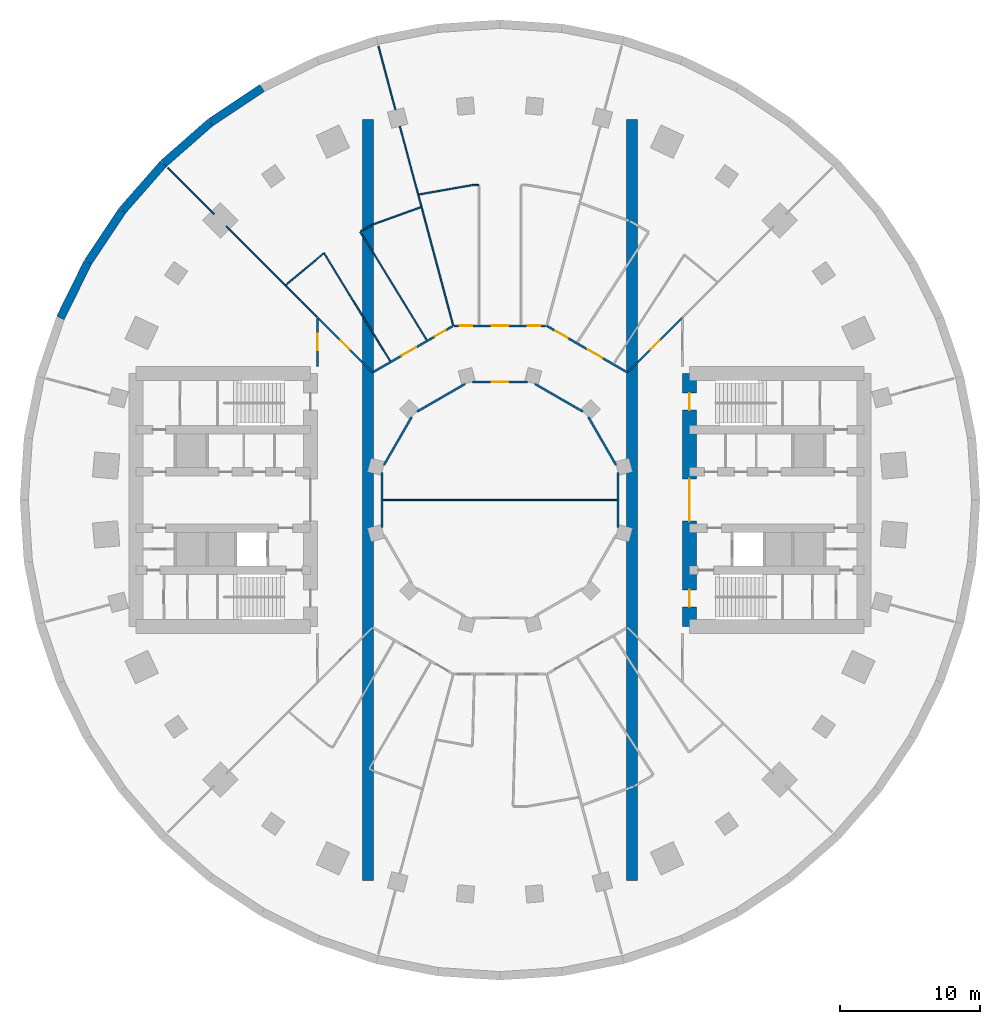
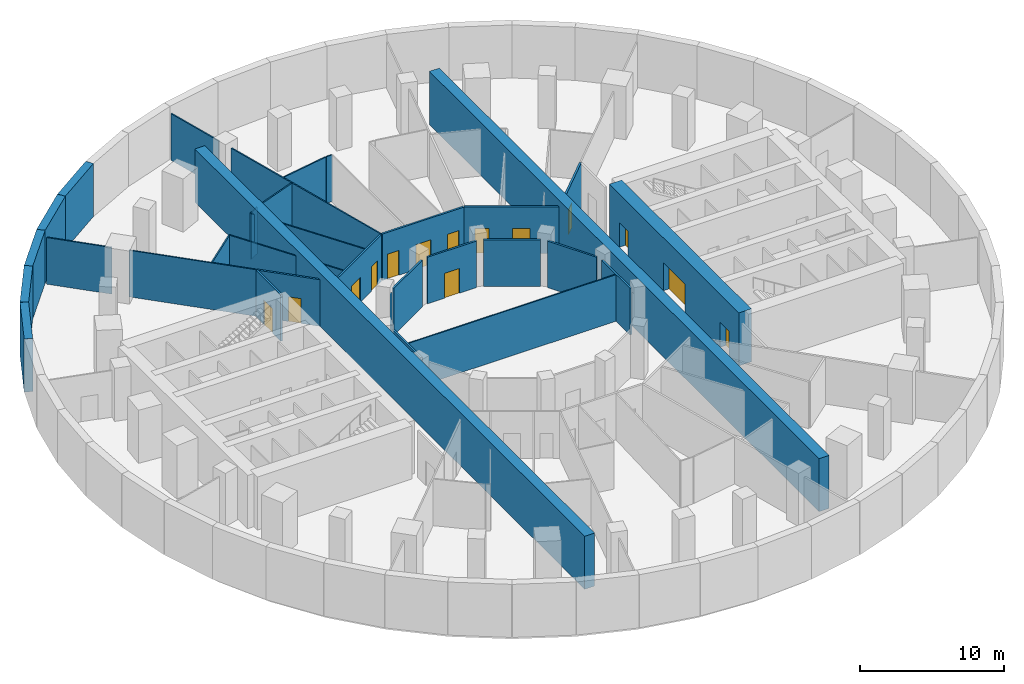
# One storey, part 5 of 8: 33 walls, 14 doors, 14 openings.
"""IFC4 building model written with IfcOpenShell, lengths in metres."""

from ifc_helpers import new_model, si_unit, direction, frame, frame_2d, origin, place, context, subcontext, project, spatial, rectangle, extrude, material, layer, layer_set, type_object, element, fill, save


model = new_model("IFC4")

# Units and contexts
model_context = context("Model", 3, precision=1e-05, world=origin(), true_north=direction((0.0, 1.0)))
body_context = subcontext(model_context, "Body", "Model", "MODEL_VIEW")
ifc_project = project(units=[si_unit("LENGTHUNIT", "METRE"), si_unit("AREAUNIT", "SQUARE_METRE"), si_unit("VOLUMEUNIT", "CUBIC_METRE"), si_unit("PLANEANGLEUNIT", "RADIAN"), si_unit("MASSUNIT", "GRAM", prefix="KILO")], contexts=[model_context])

# Site, building, storey
site_placement = place(None, origin())
site = spatial("IfcSite", under=ifc_project, at=site_placement, CompositionType="ELEMENT")
building_placement = place(site_placement, origin())
building = spatial("IfcBuilding", under=site, at=building_placement, Name="Saqina Gate Tower", CompositionType="ELEMENT")
storey_placement = place(building_placement, frame((0.0, 0.0, -4.5)))
storey = spatial("IfcBuildingStorey", under=building, at=storey_placement, Name="B1", CompositionType="ELEMENT", Elevation=-4.5)

# Walls
ifc_material_1 = material(Name="Gypsum board on steel studs, 100 mm", Category="steel")
ifc_layer_1 = layer(ifc_material_1, 0.10009765625)
ifc_layer_set_1 = layer_set([ifc_layer_1], Name="SPECIAL PARTITION 100")
wall_type_1 = type_object("IfcWallType", Name="SPECIAL PARTITION 100", PredefinedType="PARTITIONING", material=ifc_layer_set_1)
wall_1_placement = place(storey_placement, frame((-8.656494140625, 32.30810546875, 0.0), z_axis=(0.0, 0.0, 1.0), x_axis=(0.258738688501, -0.965947354193, 0.0)))
element("IfcWall", 1, at=wall_1_placement, inside=storey, type_object=wall_type_1, Name="PARTITION 001", PredefinedType="PARTITIONING", context=body_context, shape_type="SweptSolid", body=[
    extrude(rectangle(XDim=4.687744140625, YDim=0.10009765625, at=frame_2d((2.34375, 0.0))), origin(), (0.0, 0.0, 1.0), 3.949951171875),
])
wall_2_placement = place(storey_placement, frame((-7.127685546875, 26.6015625, 0.0), z_axis=(0.0, 0.0, 1.0), x_axis=(0.258778692841, -0.965936637742, 0.0)))
element("IfcWall", 2, at=wall_2_placement, inside=storey, type_object=wall_type_1, Name="PARTITION 002", PredefinedType="PARTITIONING", context=body_context, shape_type="SweptSolid", body=[
    extrude(rectangle(XDim=14.702392578125, YDim=0.10009765625, at=frame_2d((7.35107421875, 0.0))), origin(), (0.0, 0.0, 1.0), 3.949951171875),
])
wall_3_placement = place(storey_placement, frame((-12.531005859375, 17.577880859375, 0.0), z_axis=(0.0, 0.0, 1.0), x_axis=(0.522457288025, -0.852665457368, 0.0)))
element("IfcWall", 3, at=wall_3_placement, inside=storey, type_object=wall_type_1, Name="PARTITION 007", PredefinedType="PARTITIONING", context=body_context, shape_type="SweptSolid", body=[
    extrude(rectangle(XDim=9.016357421875, YDim=0.10009765625, at=frame_2d((4.50830078125, 0.0))), origin(), (0.0, 0.0, 1.0), 3.949951171875),
])
wall_4_placement = place(storey_placement, frame((-9.948974609375, 19.10498046875, 0.0), z_axis=(0.0, 0.0, 1.0), x_axis=(0.522544340664, -0.852612111127, 0.0)))
element("IfcWall", 4, at=wall_4_placement, inside=storey, type_object=wall_type_1, Name="PARTITION 008", PredefinedType="PARTITIONING", context=body_context, shape_type="SweptSolid", body=[
    extrude(rectangle(XDim=9.047607421875, YDim=0.10009765625, at=frame_2d((4.52392578125, 0.0))), origin(), (0.0, 0.0, 1.0), 3.949951171875),
])
wall_5_placement = place(storey_placement, frame((-23.65087890625, 23.65087890625, 0.0), z_axis=(0.0, 0.0, 1.0), x_axis=(0.707106781187, -0.707106781187, 0.0)))
element("IfcWall", 5, at=wall_5_placement, inside=storey, type_object=wall_type_1, Name="PARTITION 011", PredefinedType="PARTITIONING", context=body_context, shape_type="SweptSolid", body=[
    extrude(rectangle(XDim=4.687255859375, YDim=0.10009765625, at=frame_2d((2.34375, 0.0))), origin(), (0.0, 0.0, 1.0), 3.949951171875),
])
wall_6_placement = place(storey_placement, frame((-19.4736328125, 19.4736328125, 0.0), z_axis=(0.0, 0.0, 1.0), x_axis=(0.707106781187, -0.707106781187, 0.0)))
element("IfcWall", 6, at=wall_6_placement, inside=storey, type_object=wall_type_1, Name="PARTITION 012", PredefinedType="PARTITIONING", context=body_context, shape_type="SweptSolid", body=[
    extrude(rectangle(XDim=9.155029296875, YDim=0.10009765625, at=frame_2d((4.57763671875, 0.0))), origin(), (0.0, 0.0, 1.0), 3.949951171875),
])
wall_7_placement = place(storey_placement, frame((-8.324951171875, 0.0, 0.0), z_axis=(0.0, 0.0, 1.0), x_axis=(1.0, 0.0, 0.0)))
element("IfcWall", 7, at=wall_7_placement, inside=storey, type_object=wall_type_1, Name="PARTITION 034", PredefinedType="PARTITIONING", context=body_context, shape_type="SweptSolid", body=[
    extrude(rectangle(XDim=16.64990234375, YDim=0.10009765625, at=frame_2d((8.324951171875, 0.0))), origin(), (0.0, 0.0, 1.0), 3.949951171875),
])
wall_8_placement = place(storey_placement, frame((-1.9609375, 22.419921875, 0.0), z_axis=(0.0, 0.0, 1.0), x_axis=(1.0, 0.0, 0.0)))
element("IfcWall", 8, at=wall_8_placement, inside=storey, type_object=wall_type_1, Name="PARTITION 037", PredefinedType="PARTITIONING", context=body_context, shape_type="SweptSolid", body=[
    extrude(rectangle(XDim=0.4609375, YDim=0.10009765625, at=frame_2d((0.23046875, 0.0))), origin(), (0.0, 0.0, 1.0), 3.949951171875),
])
wall_9_placement = place(storey_placement, frame((-5.77587890625, 21.747802734375, 0.0), z_axis=(0.0, 0.0, 1.0), x_axis=(0.984825953453, 0.173544926186, 0.0)))
element("IfcWall", 9, at=wall_9_placement, inside=storey, type_object=wall_type_1, Name="PARTITION 040", PredefinedType="PARTITIONING", context=body_context, shape_type="SweptSolid", body=[
    extrude(rectangle(XDim=3.82373046875, YDim=0.10009765625, at=frame_2d((1.911865234375, 0.0))), origin(), (0.0, 0.0, 1.0), 3.949951171875),
])
wall_10_placement = place(storey_placement, frame((-9.12890625, 19.577880859375, 0.0), z_axis=(0.0, 0.0, 1.0), x_axis=(0.939651350788, 0.342133510435, 0.0)))
element("IfcWall", 10, at=wall_10_placement, inside=storey, type_object=wall_type_1, Name="PARTITION 044", PredefinedType="PARTITIONING", context=body_context, shape_type="SweptSolid", body=[
    extrude(rectangle(XDim=3.71484375, YDim=0.10009765625, at=frame_2d((1.857421875, 0.0))), origin(), (0.0, 0.0, 1.0), 3.949951171875),
])
wall_11_placement = place(storey_placement, frame((-9.90576171875, 19.1298828125, 0.0), z_axis=(0.0, 0.0, 1.0), x_axis=(0.866195186797, 0.499705811824, 0.0)))
element("IfcWall", 11, at=wall_11_placement, inside=storey, type_object=wall_type_1, Name="PARTITION 050", PredefinedType="PARTITIONING", context=body_context, shape_type="SweptSolid", body=[
    extrude(rectangle(XDim=0.8466796875, YDim=0.10009765625, at=frame_2d((0.42333984375, 0.0))), origin(), (0.0, 0.0, 1.0), 3.949951171875),
])
wall_12_placement = place(storey_placement, frame((-15.23681640625, 15.30712890625, 0.0), z_axis=(0.0, 0.0, 1.0), x_axis=(0.765975486746, 0.642869779742, 0.0)))
element("IfcWall", 12, at=wall_12_placement, inside=storey, type_object=wall_type_1, Name="PARTITION 052", PredefinedType="PARTITIONING", context=body_context, shape_type="SweptSolid", body=[
    extrude(rectangle(XDim=3.482421875, YDim=0.10009765625, at=frame_2d((1.7412109375, 0.0))), origin(), (0.0, 0.0, 1.0), 3.949951171875),
])
ifc_material_2 = material(Name="Gypsum board on steel studs, 150 mm, fire rated", Category="steel")
ifc_layer_2 = layer(ifc_material_2, 0.14990234375)
ifc_layer_set_2 = layer_set([ifc_layer_2], Name="SPECIAL PARTITION EI 30 150")
wall_type_2 = type_object("IfcWallType", Name="SPECIAL PARTITION EI 30 150", PredefinedType="PARTITIONING", material=ifc_layer_set_2)
wall_13_placement = place(storey_placement, frame((6.29150390625, 5.902099609375, 0.0), z_axis=(0.0, 0.0, 1.0), x_axis=(0.500061252887, -0.865990036525, 0.0)))
element("IfcWall", 13, at=wall_13_placement, inside=storey, type_object=wall_type_2, Name="PARTITION 006", PredefinedType="PARTITIONING", context=body_context, shape_type="SweptSolid", body=[
    extrude(rectangle(XDim=3.9296875, YDim=0.14990234375, at=frame_2d((1.96484375, 0.0))), origin(), (0.0, 0.0, 1.0), 3.949951171875),
])

# Wall, opening, door
wall_14_placement = place(storey_placement, frame((-12.964599609375, 12.964599609375, 0.0), z_axis=(0.0, 0.0, 1.0), x_axis=(0.707106781187, -0.707106781187, 0.0)))
wall_14 = element("IfcWall", 14, at=wall_14_placement, inside=storey, type_object=wall_type_2, Name="PARTITION 013", PredefinedType="PARTITIONING", context=body_context, shape_type="SweptSolid", body=[
    extrude(rectangle(XDim=5.498046875, YDim=0.14990234375, at=frame_2d((2.7490234375, 0.0))), origin(), (0.0, 0.0, 1.0), 3.949951171875),
])
opening_1_placement = place(wall_14_placement, frame((2.272216796875, 0.0, 0.0)))
opening_1 = element("IfcOpeningElement", 15, at=opening_1_placement, cuts=wall_14, Name="Opening B1-D12", PredefinedType="OPENING", context=body_context, shape_type="SweptSolid", body=[
    extrude(rectangle(XDim=0.89990234375, YDim=2.10009765625, at=frame_2d((0.449951171875, 1.050048828125))), frame((0.0, 0.0869140625, 0.0), z_axis=(0.0, -1.0, 0.0), x_axis=(1.0, 0.0, 0.0)), (0.0, 0.0, 1.0), 0.173828125),
])
ifc_material_3 = material(Name="Steel-framed fire door leaf, EI 30", Category="steel")
door_type_1 = type_object("IfcDoorType", Name="SPECIAL DOOR 900 FIRE EI 30", OperationType="SINGLE_SWING_LEFT", PredefinedType="DOOR", material=ifc_material_3)
door_1_placement = place(opening_1_placement, origin())
door_1 = element("IfcDoor", 16, at=door_1_placement, inside=storey, type_object=door_type_1, Name="DOOR B1-D12", OperationType="SINGLE_SWING_RIGHT", OverallHeight=2.10009765625, OverallWidth=0.89990234375, PredefinedType="DOOR", context=body_context, shape_type="SweptSolid", body=[
    extrude(rectangle(XDim=0.89990234375, YDim=2.10009765625, at=frame_2d((0.449951171875, 1.050048828125))), frame((0.0, 0.02490234375, 0.0), z_axis=(0.0, -1.0, 0.0), x_axis=(1.0, 0.0, 0.0)), (0.0, 0.0, 1.0), 0.050048828125),
])
fill(opening_1, door_1)

# Wall
wall_15_placement = place(storey_placement, frame((2.4990234375, 8.256591796875, 0.0), z_axis=(0.0, 0.0, 1.0), x_axis=(0.865990036525, -0.500061252887, 0.0)))
element("IfcWall", 17, at=wall_15_placement, inside=storey, type_object=wall_type_2, Name="PARTITION 020", PredefinedType="PARTITIONING", context=body_context, shape_type="SweptSolid", body=[
    extrude(rectangle(XDim=3.9296875, YDim=0.14990234375, at=frame_2d((1.96484375, 0.0))), origin(), (0.0, 0.0, 1.0), 3.949951171875),
])

# Wall, opening, door
wall_16_placement = place(storey_placement, frame((-1.96435546875, 8.39990234375, 0.0), z_axis=(0.0, 0.0, 1.0), x_axis=(1.0, 0.0, 0.0)))
wall_16 = element("IfcWall", 18, at=wall_16_placement, inside=storey, type_object=wall_type_2, Name="PARTITION 035", PredefinedType="PARTITIONING", context=body_context, shape_type="SweptSolid", body=[
    extrude(rectangle(XDim=3.9287109375, YDim=0.14990234375, at=frame_2d((1.96435546875, 0.0))), origin(), (0.0, 0.0, 1.0), 3.949951171875),
])
opening_2_placement = place(wall_16_placement, frame((1.364501953125, 0.0, 0.0)))
opening_2 = element("IfcOpeningElement", 19, at=opening_2_placement, cuts=wall_16, Name="Opening B1-D07", PredefinedType="OPENING", context=body_context, shape_type="SweptSolid", body=[
    extrude(rectangle(XDim=1.199951171875, YDim=2.10009765625, at=frame_2d((0.60009765625, 1.050048828125))), frame((0.0, 0.0869140625, 0.0), z_axis=(0.0, -1.0, 0.0), x_axis=(1.0, 0.0, 0.0)), (0.0, 0.0, 1.0), 0.173828125),
])
ifc_material_4 = material(Name="Steel-framed fire door leaf, EI 30", Category="steel")
door_type_2 = type_object("IfcDoorType", Name="SPECIAL DOOR 1200 FIRE EI 30", OperationType="SINGLE_SWING_LEFT", PredefinedType="DOOR", material=ifc_material_4)
door_2_placement = place(opening_2_placement, origin())
door_2 = element("IfcDoor", 20, at=door_2_placement, inside=storey, type_object=door_type_2, Name="DOOR B1-D07", OperationType="SINGLE_SWING_RIGHT", OverallHeight=2.10009765625, OverallWidth=1.199951171875, PredefinedType="DOOR", context=body_context, shape_type="SweptSolid", body=[
    extrude(rectangle(XDim=1.199951171875, YDim=2.10009765625, at=frame_2d((0.60009765625, 1.050048828125))), frame((0.0, 0.02490234375, 0.0), z_axis=(0.0, -1.0, 0.0), x_axis=(1.0, 0.0, 0.0)), (0.0, 0.0, 1.0), 0.050048828125),
])
fill(opening_2, door_2)

# Wall, openings, doors
wall_17_placement = place(storey_placement, frame((-3.27294921875, 12.39990234375, 0.0), z_axis=(0.0, 0.0, 1.0), x_axis=(1.0, 0.0, 0.0)))
wall_17 = element("IfcWall", 21, at=wall_17_placement, inside=storey, type_object=wall_type_2, Name="PARTITION 036", PredefinedType="PARTITIONING", context=body_context, shape_type="SweptSolid", body=[
    extrude(rectangle(XDim=6.52099609375, YDim=0.14990234375, at=frame_2d((3.260498046875, 0.0))), origin(), (0.0, 0.0, 1.0), 3.949951171875),
])
opening_3_placement = place(wall_17_placement, frame((5.234619140625, 0.0, 0.0)))
opening_3 = element("IfcOpeningElement", 22, at=opening_3_placement, cuts=wall_17, Name="Opening B1-D06", PredefinedType="OPENING", context=body_context, shape_type="SweptSolid", body=[
    extrude(rectangle(XDim=0.89990234375, YDim=2.10009765625, at=frame_2d((0.449951171875, 1.050048828125))), frame((0.0, 0.0869140625, 0.0), z_axis=(0.0, -1.0, 0.0), x_axis=(1.0, 0.0, 0.0)), (0.0, 0.0, 1.0), 0.173828125),
])
opening_4_placement = place(wall_17_placement, frame((2.673095703125, 0.0, 0.0)))
opening_4 = element("IfcOpeningElement", 23, at=opening_4_placement, cuts=wall_17, Name="Opening B1-D08", PredefinedType="OPENING", context=body_context, shape_type="SweptSolid", body=[
    extrude(rectangle(XDim=1.199951171875, YDim=2.10009765625, at=frame_2d((0.60009765625, 1.050048828125))), frame((0.0, 0.0869140625, 0.0), z_axis=(0.0, -1.0, 0.0), x_axis=(1.0, 0.0, 0.0)), (0.0, 0.0, 1.0), 0.173828125),
])
opening_5_placement = place(wall_17_placement, frame((0.41162109375, 0.0, 0.0)))
opening_5 = element("IfcOpeningElement", 24, at=opening_5_placement, cuts=wall_17, Name="Opening B1-D09", PredefinedType="OPENING", context=body_context, shape_type="SweptSolid", body=[
    extrude(rectangle(XDim=0.89990234375, YDim=2.10009765625, at=frame_2d((0.449951171875, 1.050048828125))), frame((0.0, 0.0869140625, 0.0), z_axis=(0.0, -1.0, 0.0), x_axis=(1.0, 0.0, 0.0)), (0.0, 0.0, 1.0), 0.173828125),
])
door_3_placement = place(opening_4_placement, frame((1.199951171875, 0.0, 0.0), z_axis=(0.0, 0.0, 1.0), x_axis=(-1.0, 0.0, 0.0)))
door_3 = element("IfcDoor", 25, at=door_3_placement, inside=storey, type_object=door_type_2, Name="DOOR B1-D08", OperationType="SINGLE_SWING_LEFT", OverallHeight=2.10009765625, OverallWidth=1.199951171875, PredefinedType="DOOR", context=body_context, shape_type="SweptSolid", body=[
    extrude(rectangle(XDim=1.199951171875, YDim=2.10009765625, at=frame_2d((0.60009765625, 1.050048828125))), frame((0.0, 0.02490234375, 0.0), z_axis=(0.0, -1.0, 0.0), x_axis=(1.0, 0.0, 0.0)), (0.0, 0.0, 1.0), 0.050048828125),
])
fill(opening_4, door_3)
door_4_placement = place(opening_3_placement, origin())
door_4 = element("IfcDoor", 26, at=door_4_placement, inside=storey, type_object=door_type_1, Name="DOOR B1-D06", OperationType="SINGLE_SWING_LEFT", OverallHeight=2.10009765625, OverallWidth=0.89990234375, PredefinedType="DOOR", context=body_context, shape_type="SweptSolid", body=[
    extrude(rectangle(XDim=0.89990234375, YDim=2.10009765625, at=frame_2d((0.449951171875, 1.050048828125))), frame((0.0, 0.02490234375, 0.0), z_axis=(0.0, -1.0, 0.0), x_axis=(1.0, 0.0, 0.0)), (0.0, 0.0, 1.0), 0.050048828125),
])
fill(opening_3, door_4)
door_5_placement = place(opening_5_placement, origin())
door_5 = element("IfcDoor", 27, at=door_5_placement, inside=storey, type_object=door_type_1, Name="DOOR B1-D09", OperationType="SINGLE_SWING_RIGHT", OverallHeight=2.10009765625, OverallWidth=0.89990234375, PredefinedType="DOOR", context=body_context, shape_type="SweptSolid", body=[
    extrude(rectangle(XDim=0.89990234375, YDim=2.10009765625, at=frame_2d((0.449951171875, 1.050048828125))), frame((0.0, 0.02490234375, 0.0), z_axis=(0.0, -1.0, 0.0), x_axis=(1.0, 0.0, 0.0)), (0.0, 0.0, 1.0), 0.050048828125),
])
fill(opening_5, door_5)

# Wall
wall_18_placement = place(storey_placement, frame((-5.902099609375, 6.29150390625, 0.0), z_axis=(0.0, 0.0, 1.0), x_axis=(0.865990036525, 0.500061252887, 0.0)))
element("IfcWall", 28, at=wall_18_placement, inside=storey, type_object=wall_type_2, Name="PARTITION 048", PredefinedType="PARTITIONING", context=body_context, shape_type="SweptSolid", body=[
    extrude(rectangle(XDim=3.9296875, YDim=0.14990234375, at=frame_2d((1.96484375, 0.0))), origin(), (0.0, 0.0, 1.0), 3.949951171875),
])

# Wall, openings, doors
wall_19_placement = place(storey_placement, frame((-9.01220703125, 9.114501953125, 0.0), z_axis=(0.0, 0.0, 1.0), x_axis=(0.865967095912, 0.5001009786, 0.0)))
wall_19 = element("IfcWall", 29, at=wall_19_placement, inside=storey, type_object=wall_type_2, Name="PARTITION 049", PredefinedType="PARTITIONING", context=body_context, shape_type="SweptSolid", body=[
    extrude(rectangle(XDim=6.494873046875, YDim=0.14990234375, at=frame_2d((3.24755859375, 0.0))), origin(), (0.0, 0.0, 1.0), 3.949951171875),
])
opening_6_placement = place(wall_19_placement, frame((5.04638671875, 0.0, 0.0)))
opening_6 = element("IfcOpeningElement", 30, at=opening_6_placement, cuts=wall_19, Name="Opening B1-D10", PredefinedType="OPENING", context=body_context, shape_type="SweptSolid", body=[
    extrude(rectangle(XDim=0.89990234375, YDim=2.10009765625, at=frame_2d((0.449951171875, 1.050048828125))), frame((0.0, 0.0869140625, 0.0), z_axis=(0.0, -1.0, 0.0), x_axis=(1.0, 0.0, 0.0)), (0.0, 0.0, 1.0), 0.173828125),
])
opening_7_placement = place(wall_19_placement, frame((2.322509765625, 0.0, 0.0)))
opening_7 = element("IfcOpeningElement", 31, at=opening_7_placement, cuts=wall_19, Name="Opening B1-D11", PredefinedType="OPENING", context=body_context, shape_type="SweptSolid", body=[
    extrude(rectangle(XDim=1.199951171875, YDim=2.10009765625, at=frame_2d((0.60009765625, 1.050048828125))), frame((0.0, 0.0869140625, 0.0), z_axis=(0.0, -1.0, 0.0), x_axis=(1.0, 0.0, 0.0)), (0.0, 0.0, 1.0), 0.173828125),
])
door_6_placement = place(opening_7_placement, frame((1.199951171875, 0.0, 0.0), z_axis=(0.0, 0.0, 1.0), x_axis=(-1.0, 0.0, 0.0)))
door_6 = element("IfcDoor", 32, at=door_6_placement, inside=storey, type_object=door_type_2, Name="DOOR B1-D11", OperationType="SINGLE_SWING_RIGHT", OverallHeight=2.10009765625, OverallWidth=1.199951171875, PredefinedType="DOOR", context=body_context, shape_type="SweptSolid", body=[
    extrude(rectangle(XDim=1.199951171875, YDim=2.10009765625, at=frame_2d((0.60009765625, 1.050048828125))), frame((0.0, 0.02490234375, 0.0), z_axis=(0.0, -1.0, 0.0), x_axis=(1.0, 0.0, 0.0)), (0.0, 0.0, 1.0), 0.050048828125),
])
fill(opening_7, door_6)
door_7_placement = place(opening_6_placement, origin())
door_7 = element("IfcDoor", 33, at=door_7_placement, inside=storey, type_object=door_type_1, Name="DOOR B1-D10", OperationType="SINGLE_SWING_LEFT", OverallHeight=2.10009765625, OverallWidth=0.89990234375, PredefinedType="DOOR", context=body_context, shape_type="SweptSolid", body=[
    extrude(rectangle(XDim=0.89990234375, YDim=2.10009765625, at=frame_2d((0.449951171875, 1.050048828125))), frame((0.0, 0.02490234375, 0.0), z_axis=(0.0, -1.0, 0.0), x_axis=(1.0, 0.0, 0.0)), (0.0, 0.0, 1.0), 0.050048828125),
])
fill(opening_6, door_7)

# Wall, opening, door
wall_20_placement = place(storey_placement, frame((9.1298828125, 9.1298828125, 0.0), z_axis=(0.0, 0.0, 1.0), x_axis=(0.707106781187, 0.707106781187, 0.0)))
wall_20 = element("IfcWall", 34, at=wall_20_placement, inside=storey, type_object=wall_type_2, Name="PARTITION 058", PredefinedType="PARTITIONING", context=body_context, shape_type="SweptSolid", body=[
    extrude(rectangle(XDim=5.423095703125, YDim=0.14990234375, at=frame_2d((2.71142578125, 0.0))), origin(), (0.0, 0.0, 1.0), 3.949951171875),
])
opening_8_placement = place(wall_20_placement, frame((2.251220703125, 0.0, 0.0)))
opening_8 = element("IfcOpeningElement", 35, at=opening_8_placement, cuts=wall_20, Name="Opening B1-D03", PredefinedType="OPENING", context=body_context, shape_type="SweptSolid", body=[
    extrude(rectangle(XDim=0.89990234375, YDim=2.10009765625, at=frame_2d((0.449951171875, 1.050048828125))), frame((0.0, 0.0869140625, 0.0), z_axis=(0.0, -1.0, 0.0), x_axis=(1.0, 0.0, 0.0)), (0.0, 0.0, 1.0), 0.173828125),
])
door_8_placement = place(opening_8_placement, origin())
door_8 = element("IfcDoor", 36, at=door_8_placement, inside=storey, type_object=door_type_1, Name="DOOR B1-D03", OperationType="SINGLE_SWING_LEFT", OverallHeight=2.10009765625, OverallWidth=0.89990234375, PredefinedType="DOOR", context=body_context, shape_type="SweptSolid", body=[
    extrude(rectangle(XDim=0.89990234375, YDim=2.10009765625, at=frame_2d((0.449951171875, 1.050048828125))), frame((0.0, 0.02490234375, 0.0), z_axis=(0.0, -1.0, 0.0), x_axis=(1.0, 0.0, 0.0)), (0.0, 0.0, 1.0), 0.050048828125),
])
fill(opening_8, door_8)

# Walls
wall_21_placement = place(storey_placement, frame((-8.256591796875, 2.4990234375, 0.0), z_axis=(0.0, 0.0, 1.0), x_axis=(0.500061252887, 0.865990036525, 0.0)))
element("IfcWall", 37, at=wall_21_placement, inside=storey, type_object=wall_type_2, Name="PARTITION 064", PredefinedType="PARTITIONING", context=body_context, shape_type="SweptSolid", body=[
    extrude(rectangle(XDim=3.9296875, YDim=0.14990234375, at=frame_2d((1.96484375, 0.0))), origin(), (0.0, 0.0, 1.0), 3.949951171875),
])
for number, where, z_axis, x_axis, name in (
    (38, (8.39990234375, -1.96435546875, 0.0), (0.0, 0.0, 1.0), (0.0, 1.0, 0.0), "PARTITION 074"),
    (39, (-8.39990234375, -1.96435546875, 0.0), (0.0, 0.0, 1.0), (0.0, 1.0, 0.0), "PARTITION 077"),
):
    element("IfcWall", number, at=place(storey_placement, frame(where, z_axis=z_axis, x_axis=x_axis)), inside=storey, type_object=wall_type_2, Name=name, PredefinedType="PARTITIONING", context=body_context, shape_type="SweptSolid", body=[
        extrude(rectangle(XDim=3.9287109375, YDim=0.14990234375, at=frame_2d((1.96435546875, 0.0))), origin(), (0.0, 0.0, 1.0), 3.949951171875),
    ])

# Wall, opening, door
wall_22_placement = place(storey_placement, frame((-13.0, 9.5, 0.0), z_axis=(0.0, 0.0, 1.0), x_axis=(0.0, 1.0, 0.0)))
wall_22 = element("IfcWall", 40, at=wall_22_placement, inside=storey, type_object=wall_type_2, Name="PARTITION 079", PredefinedType="PARTITIONING", context=body_context, shape_type="SweptSolid", body=[
    extrude(rectangle(XDim=3.425048828125, YDim=0.14990234375, at=frame_2d((1.71240234375, 0.0))), origin(), (0.0, 0.0, 1.0), 3.949951171875),
])
opening_9_placement = place(wall_22_placement, frame((1.14990234375, 0.0, 0.0)))
opening_9 = element("IfcOpeningElement", 41, at=opening_9_placement, cuts=wall_22, Name="Opening B1-D13", PredefinedType="OPENING", context=body_context, shape_type="SweptSolid", body=[
    extrude(rectangle(XDim=1.199951171875, YDim=2.10009765625, at=frame_2d((0.60009765625, 1.050048828125))), frame((0.0, 0.0869140625, 0.0), z_axis=(0.0, -1.0, 0.0), x_axis=(1.0, 0.0, 0.0)), (0.0, 0.0, 1.0), 0.173828125),
])
door_9_placement = place(opening_9_placement, frame((1.199951171875, 0.0, 0.0), z_axis=(0.0, 0.0, 1.0), x_axis=(-1.0, 0.0, 0.0)))
door_9 = element("IfcDoor", 42, at=door_9_placement, inside=storey, type_object=door_type_2, Name="DOOR B1-D13", OperationType="SINGLE_SWING_LEFT", OverallHeight=2.10009765625, OverallWidth=1.199951171875, PredefinedType="DOOR", context=body_context, shape_type="SweptSolid", body=[
    extrude(rectangle(XDim=1.199951171875, YDim=2.10009765625, at=frame_2d((0.60009765625, 1.050048828125))), frame((0.0, 0.02490234375, 0.0), z_axis=(0.0, -1.0, 0.0), x_axis=(1.0, 0.0, 0.0)), (0.0, 0.0, 1.0), 0.050048828125),
])
fill(opening_9, door_9)

# Wall, openings, doors
ifc_material_5 = material(Name="Masonry block and plaster, 150 mm, fire rated", Category="masonry")
ifc_layer_3 = layer(ifc_material_5, 0.14990234375)
ifc_layer_set_3 = layer_set([ifc_layer_3], Name="SPECIAL PARTITION EI 60 150")
wall_type_3 = type_object("IfcWallType", Name="SPECIAL PARTITION EI 60 150", PredefinedType="PARTITIONING", material=ifc_layer_set_3)
wall_23_placement = place(storey_placement, frame((3.322998046875, 12.39990234375, 0.0), z_axis=(0.0, 0.0, 1.0), x_axis=(0.865961614908, -0.500110469302, 0.0)))
wall_23 = element("IfcWall", 43, at=wall_23_placement, inside=storey, type_object=wall_type_3, Name="PARTITION 021", PredefinedType="PARTITIONING", context=body_context, shape_type="SweptSolid", body=[
    extrude(rectangle(XDim=6.64453125, YDim=0.14990234375, at=frame_2d((3.322265625, 0.0))), origin(), (0.0, 0.0, 1.0), 3.949951171875),
])
opening_10_placement = place(wall_23_placement, frame((3.371826171875, 0.0, 0.0)))
opening_10 = element("IfcOpeningElement", 44, at=opening_10_placement, cuts=wall_23, Name="Opening B1-D04", PredefinedType="OPENING", context=body_context, shape_type="SweptSolid", body=[
    extrude(rectangle(XDim=1.199951171875, YDim=2.10009765625, at=frame_2d((0.60009765625, 1.050048828125))), frame((0.0, 0.0869140625, 0.0), z_axis=(0.0, -1.0, 0.0), x_axis=(1.0, 0.0, 0.0)), (0.0, 0.0, 1.0), 0.173828125),
])
opening_11_placement = place(wall_23_placement, frame((0.735107421875, 0.0, 0.0)))
opening_11 = element("IfcOpeningElement", 45, at=opening_11_placement, cuts=wall_23, Name="Opening B1-D05", PredefinedType="OPENING", context=body_context, shape_type="SweptSolid", body=[
    extrude(rectangle(XDim=1.0, YDim=2.10009765625, at=frame_2d((0.5, 1.050048828125))), frame((0.0, 0.0869140625, 0.0), z_axis=(0.0, -1.0, 0.0), x_axis=(1.0, 0.0, 0.0)), (0.0, 0.0, 1.0), 0.173828125),
])
ifc_material_6 = material(Name="Steel-framed fire door leaf, EI 60", Category="steel")
door_type_3 = type_object("IfcDoorType", Name="SPECIAL DOOR 1000 FIRE EI 60", OperationType="SINGLE_SWING_LEFT", PredefinedType="DOOR", material=ifc_material_6)
door_10_placement = place(opening_11_placement, origin())
door_10 = element("IfcDoor", 46, at=door_10_placement, inside=storey, type_object=door_type_3, Name="DOOR B1-D05", OperationType="SINGLE_SWING_LEFT", OverallHeight=2.10009765625, OverallWidth=1.0, PredefinedType="DOOR", context=body_context, shape_type="SweptSolid", body=[
    extrude(rectangle(XDim=1.0, YDim=2.10009765625, at=frame_2d((0.5, 1.050048828125))), frame((0.0, 0.02490234375, 0.0), z_axis=(0.0, -1.0, 0.0), x_axis=(1.0, 0.0, 0.0)), (0.0, 0.0, 1.0), 0.050048828125),
])
fill(opening_11, door_10)
ifc_material_7 = material(Name="Steel-framed fire door leaf, EI 60", Category="steel")
door_type_4 = type_object("IfcDoorType", Name="SPECIAL DOOR 1200 FIRE EI 60", OperationType="SINGLE_SWING_LEFT", PredefinedType="DOOR", material=ifc_material_7)
door_11_placement = place(opening_10_placement, frame((1.199951171875, 0.0, 0.0), z_axis=(0.0, 0.0, 1.0), x_axis=(-1.0, 0.0, 0.0)))
door_11 = element("IfcDoor", 47, at=door_11_placement, inside=storey, type_object=door_type_4, Name="DOOR B1-D04", OperationType="SINGLE_SWING_LEFT", OverallHeight=2.10009765625, OverallWidth=1.199951171875, PredefinedType="DOOR", context=body_context, shape_type="SweptSolid", body=[
    extrude(rectangle(XDim=1.199951171875, YDim=2.10009765625, at=frame_2d((0.60009765625, 1.050048828125))), frame((0.0, 0.02490234375, 0.0), z_axis=(0.0, -1.0, 0.0), x_axis=(1.0, 0.0, 0.0)), (0.0, 0.0, 1.0), 0.050048828125),
])
fill(opening_10, door_11)

ifc_material_8 = material(Name="Concrete C70/85", Category="concrete")
ifc_layer_4 = layer(ifc_material_8, 1.0)
ifc_layer_set_4 = layer_set([ifc_layer_4], Name="Concrete C70/85")
wall_type_4 = type_object("IfcWallType", Name="STR-CORE WALL-P-O", PredefinedType="SHEAR", material=ifc_layer_set_4)
wall_24_placement = place(storey_placement, frame((13.5, -9.0, 0.0), z_axis=(0.0, 0.0, 1.0), x_axis=(0.0, 1.0, 0.0)))
wall_24 = element("IfcWall", 48, at=wall_24_placement, inside=storey, type_object=wall_type_4, Name="CORE WALL B1 E-W1", PredefinedType="SHEAR", context=body_context, shape_type="SweptSolid", body=[
    extrude(rectangle(XDim=18.0, YDim=1.0, at=frame_2d((9.0, 0.0))), origin(), (0.0, 0.0, 1.0), 4.5),
])
opening_12_placement = place(wall_24_placement, frame((15.39990234375, 0.0, 0.0)))
opening_12 = element("IfcOpeningElement", 49, at=opening_12_placement, cuts=wall_24, Name="Opening B1-D103", PredefinedType="OPENING", context=body_context, shape_type="SweptSolid", body=[
    extrude(rectangle(XDim=1.199951171875, YDim=2.10009765625, at=frame_2d((0.60009765625, 1.050048828125))), frame((0.0, 0.511962890625, 0.0), z_axis=(0.0, -1.0, 0.0), x_axis=(1.0, 0.0, 0.0)), (0.0, 0.0, 1.0), 1.02392578125),
])
opening_13_placement = place(wall_24_placement, frame((1.39990234375, 0.0, 0.0)))
opening_13 = element("IfcOpeningElement", 50, at=opening_13_placement, cuts=wall_24, Name="Opening B1-D104", PredefinedType="OPENING", context=body_context, shape_type="SweptSolid", body=[
    extrude(rectangle(XDim=1.199951171875, YDim=2.10009765625, at=frame_2d((0.60009765625, 1.050048828125))), frame((0.0, 0.511962890625, 0.0), z_axis=(0.0, -1.0, 0.0), x_axis=(1.0, 0.0, 0.0)), (0.0, 0.0, 1.0), 1.02392578125),
])
opening_14_placement = place(wall_24_placement, frame((7.5, 0.0, 0.0)))
opening_14 = element("IfcOpeningElement", 51, at=opening_14_placement, cuts=wall_24, Name="Opening B1-D105", PredefinedType="OPENING", context=body_context, shape_type="SweptSolid", body=[
    extrude(rectangle(XDim=3.0, YDim=2.39990234375, at=frame_2d((1.5, 1.199951171875))), frame((0.0, 0.511962890625, 0.0), z_axis=(0.0, -1.0, 0.0), x_axis=(1.0, 0.0, 0.0)), (0.0, 0.0, 1.0), 1.02392578125),
])
ifc_material_9 = material(Name="Steel", Category="steel")
door_type_5 = type_object("IfcDoorType", Name="FIRE DOOR EI 60", OperationType="SINGLE_SWING_LEFT", PredefinedType="DOOR", material=ifc_material_9)
door_12_placement = place(opening_12_placement, frame((1.199951171875, 0.0, 0.0), z_axis=(0.0, 0.0, 1.0), x_axis=(-1.0, 0.0, 0.0)))
door_12 = element("IfcDoor", 52, at=door_12_placement, inside=storey, type_object=door_type_5, Name="B1-CD-E14", OperationType="SINGLE_SWING_LEFT", OverallHeight=2.10009765625, OverallWidth=1.199951171875, PredefinedType="DOOR", context=body_context, shape_type="SweptSolid", body=[
    extrude(rectangle(XDim=1.199951171875, YDim=2.10009765625, at=frame_2d((0.60009765625, 1.050048828125))), frame((0.0, 0.02490234375, 0.0), z_axis=(0.0, -1.0, 0.0), x_axis=(1.0, 0.0, 0.0)), (0.0, 0.0, 1.0), 0.050048828125),
])
fill(opening_12, door_12)
door_13_placement = place(opening_13_placement, frame((1.199951171875, 0.0, 0.0), z_axis=(0.0, 0.0, 1.0), x_axis=(-1.0, 0.0, 0.0)))
door_13 = element("IfcDoor", 53, at=door_13_placement, inside=storey, type_object=door_type_5, Name="B1-CD-E15", OperationType="SINGLE_SWING_RIGHT", OverallHeight=2.10009765625, OverallWidth=1.199951171875, PredefinedType="DOOR", context=body_context, shape_type="SweptSolid", body=[
    extrude(rectangle(XDim=1.199951171875, YDim=2.10009765625, at=frame_2d((0.60009765625, 1.050048828125))), frame((0.0, 0.02490234375, 0.0), z_axis=(0.0, -1.0, 0.0), x_axis=(1.0, 0.0, 0.0)), (0.0, 0.0, 1.0), 0.050048828125),
])
fill(opening_13, door_13)
ifc_material_10 = material(Name="Steel and fire-resisting glass", Category="steel")
door_type_6 = type_object("IfcDoorType", Name="LOBBY SCREEN DOOR", OperationType="DOUBLE_DOOR_SLIDING", PredefinedType="DOOR", material=ifc_material_10)
door_14_placement = place(opening_14_placement, origin())
door_14 = element("IfcDoor", 54, at=door_14_placement, inside=storey, type_object=door_type_6, Name="B1-CD-E16", OperationType="DOUBLE_DOOR_SLIDING", OverallHeight=2.39990234375, OverallWidth=3.0, PredefinedType="DOOR", context=body_context, shape_type="SweptSolid", body=[
    extrude(rectangle(XDim=3.0, YDim=2.39990234375, at=frame_2d((1.5, 1.199951171875))), frame((0.0, 0.02490234375, 0.0), z_axis=(0.0, -1.0, 0.0), x_axis=(1.0, 0.0, 0.0)), (0.0, 0.0, 1.0), 0.050048828125),
])
fill(opening_14, door_14)

# Walls
ifc_material_11 = material(Name="Concrete C70/85", Category="concrete")
ifc_layer_5 = layer(ifc_material_11, 0.800048828125)
ifc_layer_set_5 = layer_set([ifc_layer_5], Name="Concrete C70/85")
wall_type_5 = type_object("IfcWallType", Name="STR-PIER-PASSAGE", PredefinedType="SHEAR", material=ifc_layer_set_5)
for number, where, z_axis, x_axis, name in (
    (55, (9.39990234375, -27.076904296875, 0.0), (0.0, 0.0, 1.0), (0.0, 1.0, 0.0), "B1-FLKE"),
    (56, (-9.39990234375, -27.076904296875, 0.0), (0.0, 0.0, 1.0), (0.0, 1.0, 0.0), "B1-FLKW"),
):
    element("IfcWall", number, at=place(storey_placement, frame(where, z_axis=z_axis, x_axis=x_axis)), inside=storey, type_object=wall_type_5, Name=name, PredefinedType="SHEAR", context=body_context, shape_type="SweptSolid", body=[
        extrude(rectangle(XDim=54.15380859375, YDim=0.800048828125, at=frame_2d((27.076904296875, 0.0))), origin(), (0.0, 0.0, 1.0), 4.5),
    ])
ifc_material_12 = material(Name="Concrete C40/50", Category="concrete")
ifc_layer_6 = layer(ifc_material_12, 0.60009765625)
ifc_layer_set_6 = layer_set([ifc_layer_6], Name="Concrete C40/50")
wall_type_6 = type_object("IfcWallType", Name="STR-WALL-RETAINING", PredefinedType="SOLIDWALL", material=ifc_layer_set_6)
wall_25_placement = place(storey_placement, frame((-16.936279296875, 29.33447265625, 0.0), z_axis=(0.0, 0.0, 1.0), x_axis=(-0.831464919904, -0.555577255626, 0.0)))
element("IfcWall", 57, at=wall_25_placement, inside=storey, type_object=wall_type_6, Name="BASEMENT RETAINING WALL 17", PredefinedType="SOLIDWALL", context=body_context, shape_type="SweptSolid", body=[
    extrude(rectangle(XDim=4.430908203125, YDim=0.60009765625, at=frame_2d((2.21533203125, 0.0))), origin(), (0.0, 0.0, 1.0), 4.5),
])
for number, where, z_axis, x_axis, name in (
    (58, (-20.620361328125, 26.872802734375, 0.0), (0.0, 0.0, 1.0), (-0.751825244185, -0.659362420985, 0.0), "BASEMENT RETAINING WALL 18"),
    (59, (-23.951416015625, 23.951416015625, 0.0), (0.0, 0.0, 1.0), (-0.659362420985, -0.751825244185, 0.0), "BASEMENT RETAINING WALL 19"),
):
    element("IfcWall", number, at=place(storey_placement, frame(where, z_axis=z_axis, x_axis=x_axis)), inside=storey, type_object=wall_type_6, Name=name, PredefinedType="SOLIDWALL", context=body_context, shape_type="SweptSolid", body=[
        extrude(rectangle(XDim=4.4306640625, YDim=0.60009765625, at=frame_2d((2.21533203125, 0.0))), origin(), (0.0, 0.0, 1.0), 4.5),
    ])
for number, where, z_axis, x_axis, name in (
    (60, (-26.872802734375, 20.620361328125, 0.0), (0.0, 0.0, 1.0), (-0.555577255626, -0.831464919904, 0.0), "BASEMENT RETAINING WALL 20"),
    (61, (-29.33447265625, 16.936279296875, 0.0), (0.0, 0.0, 1.0), (-0.442291876975, -0.896871169992, 0.0), "BASEMENT RETAINING WALL 21"),
):
    element("IfcWall", number, at=place(storey_placement, frame(where, z_axis=z_axis, x_axis=x_axis)), inside=storey, type_object=wall_type_6, Name=name, PredefinedType="SOLIDWALL", context=body_context, shape_type="SweptSolid", body=[
        extrude(rectangle(XDim=4.430908203125, YDim=0.60009765625, at=frame_2d((2.21533203125, 0.0))), origin(), (0.0, 0.0, 1.0), 4.5),
    ])

save(model, "model.ifc")
